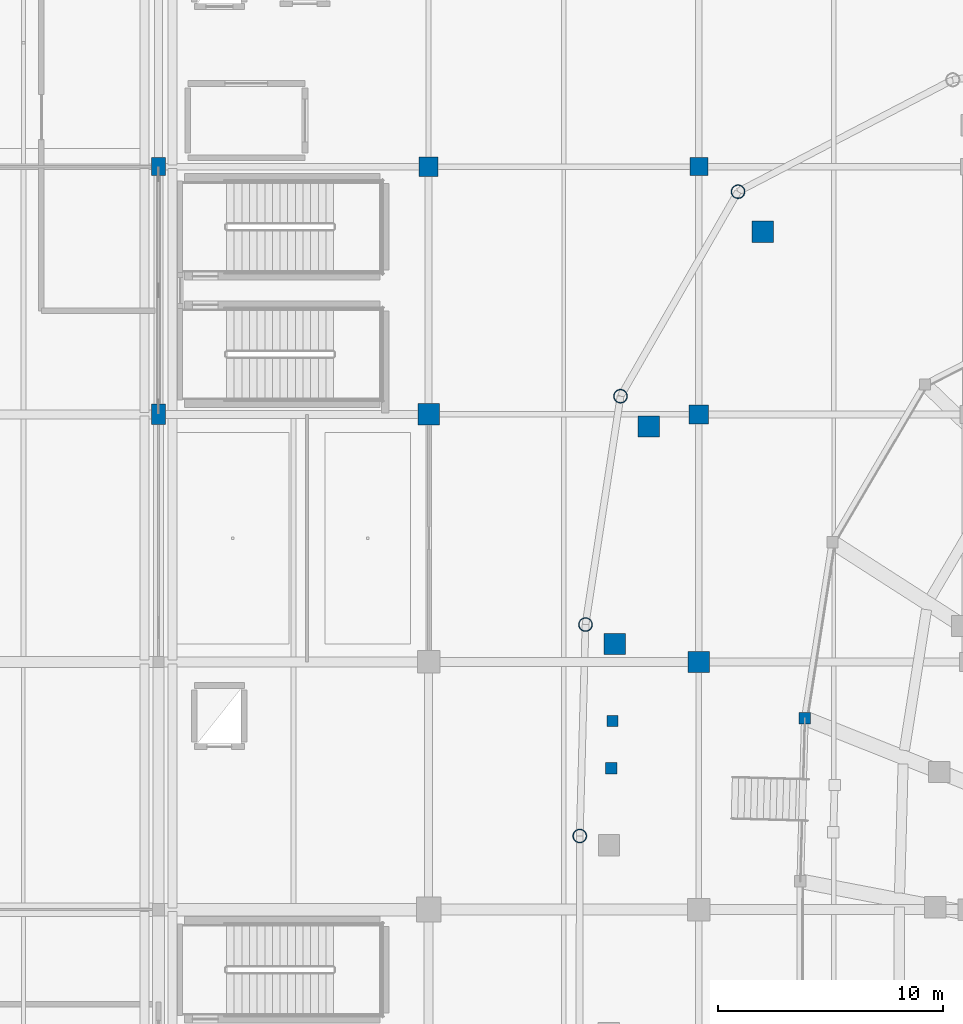
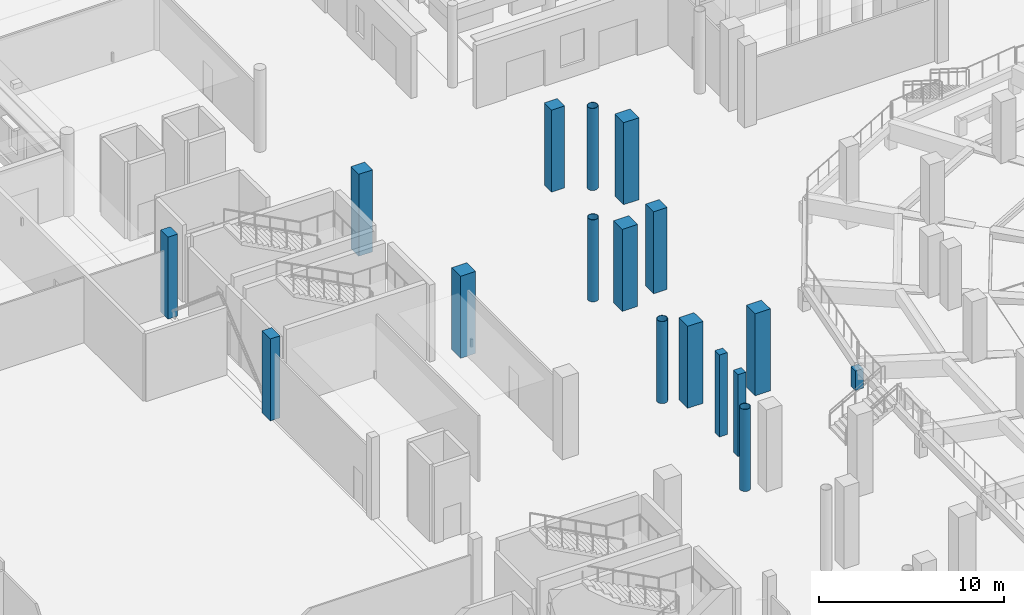
# One storey, part 7 of 120: 17 columns.
"""IFC4 building model written with IfcOpenShell, lengths in metres."""

from ifc_helpers import new_model, si_unit, direction, frame, origin, origin_2d, place, context, subcontext, project, spatial, rectangle, hollow_circle, extrude, material, material_profile, profile_set, type_object, element, save


model = new_model("IFC4")

# Units and contexts
model_context = context("Model", 3, precision=1e-05, world=origin(), true_north=direction((0.0, 1.0)))
body_context = subcontext(model_context, "Body", "Model", "MODEL_VIEW")
ifc_project = project(units=[si_unit("LENGTHUNIT", "METRE"), si_unit("AREAUNIT", "SQUARE_METRE"), si_unit("VOLUMEUNIT", "CUBIC_METRE"), si_unit("PLANEANGLEUNIT", "RADIAN"), si_unit("MASSUNIT", "GRAM", prefix="KILO")], contexts=[model_context])

# Site, building, storey
site_placement = place(None, origin())
site = spatial("IfcSite", under=ifc_project, at=site_placement, CompositionType="ELEMENT")
building_placement = place(site_placement, origin())
building = spatial("IfcBuilding", under=site, at=building_placement, Name="Luwafu Chhajja Arena", CompositionType="ELEMENT")
storey_placement = place(building_placement, origin())
storey = spatial("IfcBuildingStorey", under=building, at=storey_placement, Name="L00", CompositionType="ELEMENT", Elevation=0.0)

# Columns
ifc_material_1 = material(Name="Concrete C40/50", Category="concrete")
ifc_material_profile_1 = material_profile(ifc_material_1, rectangle(XDim=0.949951171875, YDim=0.949951171875, at=origin_2d()), Name="RC 950x950")
ifc_profile_set_1 = profile_set([ifc_material_profile_1], Name="Concrete C40/50")
column_type_1 = type_object("IfcColumnType", Name="Bowl Raker Support Column RC 950", PredefinedType="COLUMN", material=ifc_profile_set_1)
for number, where, z_axis, x_axis, name in (
    (1, (46.0, 77.0, 0.0), (0.0, 0.0, 1.0), (1.0, 0.0, 0.0), "L00 Grid Column 5/H"),
    (2, (58.0, 66.0, 0.0), (0.0, 0.0, 1.0), (1.0, 0.0, 0.0), "L00 Grid Column 6/G"),
    (3, (60.84619140625, 85.1103515625, 0.0), (0.0, 0.0, 1.0), (1.0, 0.0, 0.0), "L00 Upper Bowl Raker Column UO13"),
    (4, (55.772705078125, 76.4580078125, 0.0), (0.0, 0.0, 1.0), (1.0, 0.0, 0.0), "L00 Upper Bowl Raker Column UO14"),
    (5, (54.260498046875, 66.79638671875, 0.0), (0.0, 0.0, 1.0), (1.0, 0.0, 0.0), "L00 Upper Bowl Raker Column UO15"),
):
    element("IfcColumn", number, at=place(storey_placement, frame(where, z_axis=z_axis, x_axis=x_axis)), inside=storey, type_object=column_type_1, Name=name, PredefinedType="COLUMN", context=body_context, shape_type="SweptSolid", body=[
        extrude(rectangle(XDim=0.949951171875, YDim=0.949951171875, at=origin_2d()), origin(), (0.0, 0.0, 1.0), 5.39990234375),
    ])
ifc_material_2 = material(Name="Concrete C35/45", Category="concrete")
ifc_material_profile_2 = material_profile(ifc_material_2, rectangle(XDim=0.85009765625, YDim=0.85009765625, at=origin_2d()), Name="RC 850x850")
ifc_profile_set_2 = profile_set([ifc_material_profile_2], Name="Concrete C35/45")
column_type_2 = type_object("IfcColumnType", Name="Concourse Heavy Column RC 850", PredefinedType="COLUMN", material=ifc_profile_set_2)
for number, where, z_axis, x_axis, name in (
    (6, (46.0, 88.0, 0.0), (0.0, 0.0, 1.0), (1.0, 0.0, 0.0), "L00 Grid Column 5/J"),
    (7, (58.0, 77.0, 0.0), (0.0, 0.0, 1.0), (1.0, 0.0, 0.0), "L00 Grid Column 6/H"),
):
    element("IfcColumn", number, at=place(storey_placement, frame(where, z_axis=z_axis, x_axis=x_axis)), inside=storey, type_object=column_type_2, Name=name, PredefinedType="COLUMN", context=body_context, shape_type="SweptSolid", body=[
        extrude(rectangle(XDim=0.85009765625, YDim=0.85009765625, at=origin_2d()), origin(), (0.0, 0.0, 1.0), 5.39990234375),
    ])
ifc_material_profile_3 = material_profile(ifc_material_2, rectangle(XDim=0.800048828125, YDim=0.800048828125, at=origin_2d()), Name="RC 800x800")
ifc_profile_set_3 = profile_set([ifc_material_profile_3], Name="Concrete C35/45")
column_type_3 = type_object("IfcColumnType", Name="Concourse Standard Column RC 800", PredefinedType="COLUMN", material=ifc_profile_set_3)
column_1_placement = place(storey_placement, frame((58.0, 88.0, 0.0), z_axis=(0.0, 0.0, 1.0), x_axis=(1.0, 0.0, 0.0)))
element("IfcColumn", 8, at=column_1_placement, inside=storey, type_object=column_type_3, Name="L00 Grid Column 6/J", PredefinedType="COLUMN", context=body_context, shape_type="SweptSolid", body=[
    extrude(rectangle(XDim=0.800048828125, YDim=0.800048828125, at=origin_2d()), origin(), (0.0, 0.0, 1.0), 5.39990234375),
])
ifc_material_profile_4 = material_profile(ifc_material_2, rectangle(XDim=0.5, YDim=0.5, at=origin_2d()), Name="RC 500x500")
ifc_profile_set_4 = profile_set([ifc_material_profile_4], Name="Concrete C35/45")
column_type_4 = type_object("IfcColumnType", Name="Pavilion Column RC 500", PredefinedType="COLUMN", material=ifc_profile_set_4)
column_2_placement = place(storey_placement, frame((62.711181640625, 63.501708984375, 0.0), z_axis=(0.0, 0.0, 1.0), x_axis=(1.0, 0.0, 0.0)))
element("IfcColumn", 9, at=column_2_placement, inside=storey, type_object=column_type_4, Name="L00 Raker Heel Plinth 15", PredefinedType="COLUMN", context=body_context, shape_type="SweptSolid", body=[
    extrude(rectangle(XDim=0.5, YDim=0.5, at=origin_2d()), origin(), (0.0, 0.0, 1.0), 1.280029296875),
])
for number, where, z_axis, x_axis, name in (
    (10, (54.165283203125, 63.373779296875, 0.0), (0.0, 0.0, 1.0), (1.0, 0.0, 0.0), "L00 Vomitory Stack Column VU15A"),
    (11, (54.107177734375, 61.274658203125, 0.0), (0.0, 0.0, 1.0), (1.0, 0.0, 0.0), "L00 Vomitory Stack Column VU15B"),
):
    element("IfcColumn", number, at=place(storey_placement, frame(where, z_axis=z_axis, x_axis=x_axis)), inside=storey, type_object=column_type_4, Name=name, PredefinedType="COLUMN", context=body_context, shape_type="SweptSolid", body=[
        extrude(rectangle(XDim=0.5, YDim=0.5, at=origin_2d()), origin(), (0.0, 0.0, 1.0), 5.39990234375),
    ])
ifc_material_profile_5 = material_profile(ifc_material_1, rectangle(XDim=0.60009765625, YDim=0.800048828125, at=origin_2d()), Name="RC 600x800")
ifc_profile_set_5 = profile_set([ifc_material_profile_5], Name="Concrete C40/50")
column_type_5 = type_object("IfcColumnType", Name="Pishtaq Pier Column RC 600x800", PredefinedType="COLUMN", material=ifc_profile_set_5)
column_3_placement = place(storey_placement, frame((34.0, 88.0, 0.0), z_axis=(0.0, 0.0, 1.0), x_axis=(1.0, 0.0, 0.0)))
element("IfcColumn", 12, at=column_3_placement, inside=storey, type_object=column_type_5, Name="L00 Grid Column 4/J", PredefinedType="COLUMN", context=body_context, shape_type="SweptSolid", body=[
    extrude(rectangle(XDim=0.60009765625, YDim=0.800048828125, at=origin_2d()), origin(), (0.0, 0.0, 1.0), 5.39990234375),
])
ifc_material_3 = material(Name="Steel S355", Category="steel")
ifc_material_profile_6 = material_profile(ifc_material_3, hollow_circle(Radius=0.304931640625, WallThickness=0.02490234375, at=origin_2d()), Name="CHS 610x25")
ifc_profile_set_6 = profile_set([ifc_material_profile_6], Name="Steel S355")
column_type_6 = type_object("IfcColumnType", Name="Steel Bowl Drum Column CHS 610", PredefinedType="COLUMN", material=ifc_profile_set_6)
for number, where, z_axis, x_axis, name in (
    (13, (59.743896484375, 86.890869140625, 0.0), (0.0, 0.0, 1.0), (1.0, 0.0, 0.0), "L00 Bowl Drum Column D13"),
    (14, (54.52392578125, 77.805908203125, 0.0), (0.0, 0.0, 1.0), (1.0, 0.0, 0.0), "L00 Bowl Drum Column D14"),
    (15, (52.968017578125, 67.6611328125, 0.0), (0.0, 0.0, 1.0), (1.0, 0.0, 0.0), "L00 Bowl Drum Column D15"),
    (16, (52.71240234375, 58.269775390625, 0.0), (0.0, 0.0, 1.0), (1.0, 0.0, 0.0), "L00 Bowl Drum Column D16"),
):
    element("IfcColumn", number, at=place(storey_placement, frame(where, z_axis=z_axis, x_axis=x_axis)), inside=storey, type_object=column_type_6, Name=name, PredefinedType="COLUMN", context=body_context, shape_type="SweptSolid", body=[
        extrude(hollow_circle(Radius=0.304931640625, WallThickness=0.02490234375, at=origin_2d()), origin(), (0.0, 0.0, 1.0), 5.39990234375),
    ])
ifc_material_profile_7 = material_profile(ifc_material_1, rectangle(XDim=0.60009765625, YDim=0.89990234375, at=origin_2d()), Name="RC 600x900")
ifc_profile_set_7 = profile_set([ifc_material_profile_7], Name="Concrete C40/50")
column_type_7 = type_object("IfcColumnType", Name="Warm-Up Hall Portal Column RC 600x900", PredefinedType="COLUMN", material=ifc_profile_set_7)
column_4_placement = place(storey_placement, frame((34.0, 77.0, 0.0), z_axis=(0.0, 0.0, 1.0), x_axis=(1.0, 0.0, 0.0)))
element("IfcColumn", 17, at=column_4_placement, inside=storey, type_object=column_type_7, Name="L00 Grid Column 4/H", PredefinedType="COLUMN", context=body_context, shape_type="SweptSolid", body=[
    extrude(rectangle(XDim=0.60009765625, YDim=0.89990234375, at=origin_2d()), origin(), (0.0, 0.0, 1.0), 5.39990234375),
])

save(model, "model.ifc")
